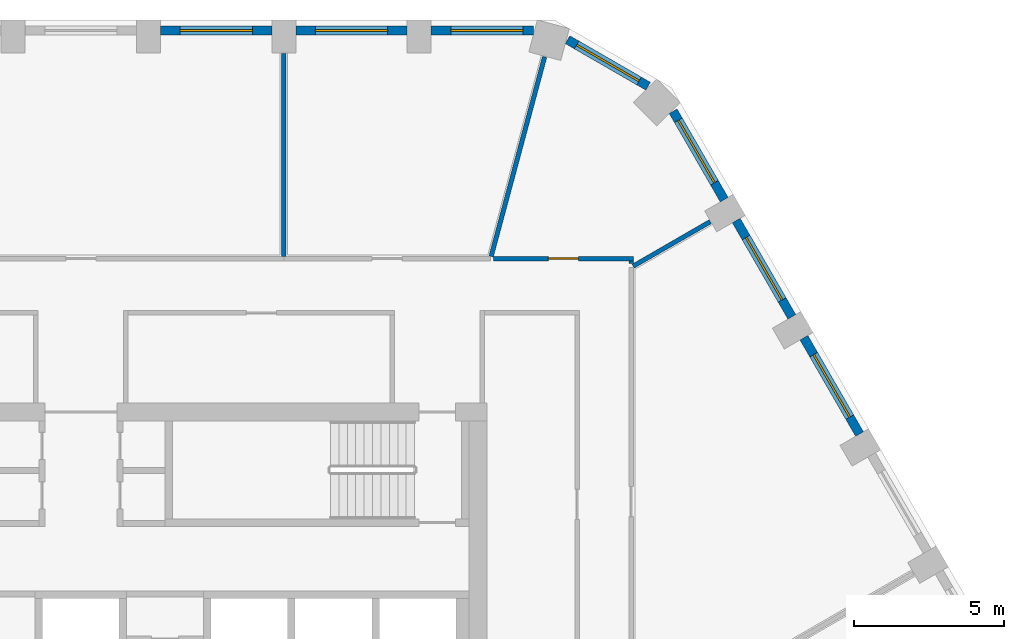
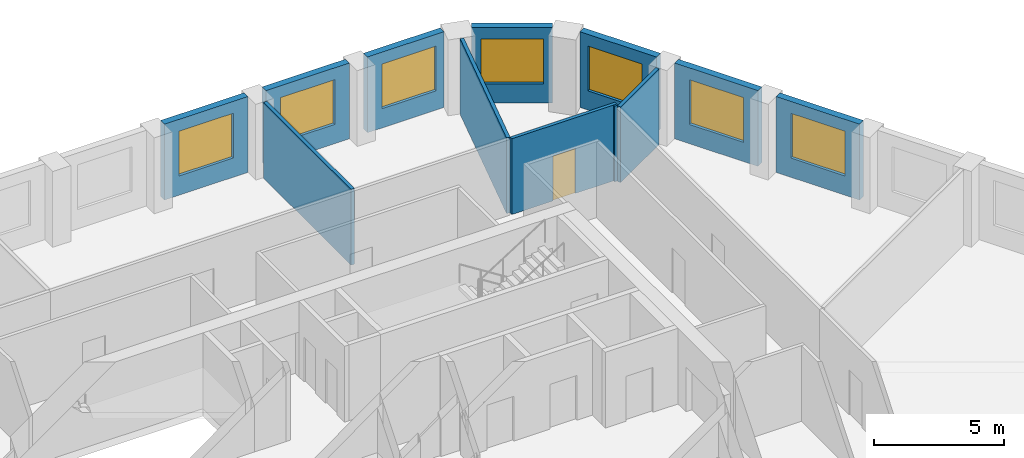
# One storey, part 7 of 13: 12 walls, 7 windows, 1 door, 8 openings.
"""IFC4 building model written with IfcOpenShell, lengths in metres."""

from ifc_helpers import new_model, si_unit, direction, frame, frame_2d, origin, place, context, subcontext, project, spatial, rectangle, extrude, material, layer, layer_set, type_object, element, fill, save


model = new_model("IFC4")

# Units and contexts
model_context = context("Model", 3, precision=1e-05, world=origin(), true_north=direction((0.0, 1.0)))
body_context = subcontext(model_context, "Body", "Model", "MODEL_VIEW")
ifc_project = project(units=[si_unit("LENGTHUNIT", "METRE"), si_unit("AREAUNIT", "SQUARE_METRE"), si_unit("VOLUMEUNIT", "CUBIC_METRE"), si_unit("PLANEANGLEUNIT", "RADIAN"), si_unit("MASSUNIT", "GRAM", prefix="KILO")], contexts=[model_context])

# Site, building, storey
site_placement = place(None, origin())
site = spatial("IfcSite", under=ifc_project, at=site_placement, CompositionType="ELEMENT")
building_placement = place(site_placement, origin())
building = spatial("IfcBuilding", under=site, at=building_placement, Name="Dhurran Vertical Campus", CompositionType="ELEMENT")
storey_placement = place(building_placement, frame((0.0, 0.0, 191.699951171875)))
storey = spatial("IfcBuildingStorey", under=building, at=storey_placement, Name="L47", CompositionType="ELEMENT", Elevation=191.699951171875)

# Wall, opening, window
ifc_material_1 = material(Name="Precast concrete C50/60", Category="concrete")
ifc_layer_1 = layer(ifc_material_1, 0.300048828125)
ifc_layer_set_1 = layer_set([ifc_layer_1], Name="Precast concrete C50/60")
wall_type_1 = type_object("IfcWallType", Name="Precast spandrel wall 300", PredefinedType="SOLIDWALL", material=ifc_layer_set_1)
wall_1_placement = place(storey_placement, frame((25.893798828125, 10.216064453125, 0.0), z_axis=(0.0, 0.0, 1.0), x_axis=(-0.500029062817, 0.866008623709, 0.0)))
wall_1 = element("IfcWall", 1, at=wall_1_placement, inside=storey, type_object=wall_type_1, Name="EW1 L47.16", PredefinedType="SOLIDWALL", context=body_context, shape_type="SweptSolid", body=[
    extrude(rectangle(XDim=3.698974609375, YDim=0.300048828125, at=frame_2d((1.849609375, 0.0))), origin(), (0.0, 0.0, 1.0), 3.550048828125),
])
opening_1_placement = place(wall_1_placement, frame((0.6494140625, 0.0, 0.89990234375)))
opening_1 = element("IfcOpeningElement", 2, at=opening_1_placement, cuts=wall_1, Name="Opening WT1", PredefinedType="OPENING", context=body_context, shape_type="SweptSolid", body=[
    extrude(rectangle(XDim=2.39990234375, YDim=2.10009765625, at=frame_2d((1.199951171875, 1.050048828125))), frame((0.0, 0.159912109375, 0.0), z_axis=(0.0, -1.0, 0.0), x_axis=(1.0, 0.0, 0.0)), (0.0, 0.0, 1.0), 0.320068359375),
])
ifc_material_2 = material(Name="Aluminium frame with solar-control glass", Category="aluminium")
window_type = type_object("IfcWindowType", Name="Punched window 2400 x 2100", PartitioningType="SINGLE_PANEL", PredefinedType="WINDOW", material=ifc_material_2)
window_1_placement = place(opening_1_placement, origin())
window_1 = element("IfcWindow", 3, at=window_1_placement, inside=storey, type_object=window_type, Name="WT1 L47.16", OverallHeight=2.10009765625, OverallWidth=2.39990234375, PartitioningType="SINGLE_PANEL", PredefinedType="WINDOW", context=body_context, shape_type="SweptSolid", body=[
    extrude(rectangle(XDim=2.39990234375, YDim=2.10009765625, at=frame_2d((1.199951171875, 1.050048828125))), frame((0.0, 0.030029296875, 0.0), z_axis=(0.0, -1.0, 0.0), x_axis=(1.0, 0.0, 0.0)), (0.0, 0.0, 1.0), 0.06005859375),
])
fill(opening_1, window_1)

wall_2_placement = place(storey_placement, frame((23.643798828125, 14.11328125, 0.0), z_axis=(0.0, 0.0, 1.0), x_axis=(-0.500029062817, 0.866008623709, 0.0)))
wall_2 = element("IfcWall", 4, at=wall_2_placement, inside=storey, type_object=wall_type_1, Name="EW1 L47.17", PredefinedType="SOLIDWALL", context=body_context, shape_type="SweptSolid", body=[
    extrude(rectangle(XDim=3.698974609375, YDim=0.300048828125, at=frame_2d((1.849609375, 0.0))), origin(), (0.0, 0.0, 1.0), 3.550048828125),
])
opening_2_placement = place(wall_2_placement, frame((0.6494140625, 0.0, 0.89990234375)))
opening_2 = element("IfcOpeningElement", 5, at=opening_2_placement, cuts=wall_2, Name="Opening WT1", PredefinedType="OPENING", context=body_context, shape_type="SweptSolid", body=[
    extrude(rectangle(XDim=2.39990234375, YDim=2.10009765625, at=frame_2d((1.199951171875, 1.050048828125))), frame((0.0, 0.159912109375, 0.0), z_axis=(0.0, -1.0, 0.0), x_axis=(1.0, 0.0, 0.0)), (0.0, 0.0, 1.0), 0.320068359375),
])
window_2_placement = place(opening_2_placement, origin())
window_2 = element("IfcWindow", 6, at=window_2_placement, inside=storey, type_object=window_type, Name="WT1 L47.17", OverallHeight=2.10009765625, OverallWidth=2.39990234375, PartitioningType="SINGLE_PANEL", PredefinedType="WINDOW", context=body_context, shape_type="SweptSolid", body=[
    extrude(rectangle(XDim=2.39990234375, YDim=2.10009765625, at=frame_2d((1.199951171875, 1.050048828125))), frame((0.0, 0.030029296875, 0.0), z_axis=(0.0, -1.0, 0.0), x_axis=(1.0, 0.0, 0.0)), (0.0, 0.0, 1.0), 0.06005859375),
])
fill(opening_2, window_2)

wall_3_placement = place(storey_placement, frame((21.393798828125, 18.01025390625, 0.0), z_axis=(0.0, 0.0, 1.0), x_axis=(-0.500012868213, 0.866017974191, 0.0)))
wall_3 = element("IfcWall", 7, at=wall_3_placement, inside=storey, type_object=wall_type_1, Name="EW1 L47.18", PredefinedType="SOLIDWALL", context=body_context, shape_type="SweptSolid", body=[
    extrude(rectangle(XDim=3.39599609375, YDim=0.300048828125, at=frame_2d((1.697998046875, 0.0))), origin(), (0.0, 0.0, 1.0), 3.550048828125),
])
opening_3_placement = place(wall_3_placement, frame((0.6494140625, 0.0, 0.89990234375)))
opening_3 = element("IfcOpeningElement", 8, at=opening_3_placement, cuts=wall_3, Name="Opening WT1", PredefinedType="OPENING", context=body_context, shape_type="SweptSolid", body=[
    extrude(rectangle(XDim=2.39990234375, YDim=2.10009765625, at=frame_2d((1.199951171875, 1.050048828125))), frame((0.0, 0.159912109375, 0.0), z_axis=(0.0, -1.0, 0.0), x_axis=(1.0, 0.0, 0.0)), (0.0, 0.0, 1.0), 0.320068359375),
])
window_3_placement = place(opening_3_placement, origin())
window_3 = element("IfcWindow", 9, at=window_3_placement, inside=storey, type_object=window_type, Name="WT1 L47.18", OverallHeight=2.10009765625, OverallWidth=2.39990234375, PartitioningType="SINGLE_PANEL", PredefinedType="WINDOW", context=body_context, shape_type="SweptSolid", body=[
    extrude(rectangle(XDim=2.39990234375, YDim=2.10009765625, at=frame_2d((1.199951171875, 1.050048828125))), frame((0.0, 0.030029296875, 0.0), z_axis=(0.0, -1.0, 0.0), x_axis=(1.0, 0.0, 0.0)), (0.0, 0.0, 1.0), 0.06005859375),
])
fill(opening_3, window_3)

wall_4_placement = place(storey_placement, frame((18.86279296875, 21.7841796875, 0.0), z_axis=(0.0, 0.0, 1.0), x_axis=(-0.865994975416, 0.500052699777, 0.0)))
wall_4 = element("IfcWall", 10, at=wall_4_placement, inside=storey, type_object=wall_type_1, Name="EW1 L47.19", PredefinedType="SOLIDWALL", context=body_context, shape_type="SweptSolid", body=[
    extrude(rectangle(XDim=3.093017578125, YDim=0.300048828125, at=frame_2d((1.54638671875, 0.0))), origin(), (0.0, 0.0, 1.0), 3.550048828125),
])
opening_4_placement = place(wall_4_placement, frame((0.34619140625, 0.0, 0.89990234375)))
opening_4 = element("IfcOpeningElement", 11, at=opening_4_placement, cuts=wall_4, Name="Opening WT1", PredefinedType="OPENING", context=body_context, shape_type="SweptSolid", body=[
    extrude(rectangle(XDim=2.39990234375, YDim=2.10009765625, at=frame_2d((1.199951171875, 1.050048828125))), frame((0.0, 0.159912109375, 0.0), z_axis=(0.0, -1.0, 0.0), x_axis=(1.0, 0.0, 0.0)), (0.0, 0.0, 1.0), 0.320068359375),
])
window_4_placement = place(opening_4_placement, origin())
window_4 = element("IfcWindow", 12, at=window_4_placement, inside=storey, type_object=window_type, Name="WT1 L47.19", OverallHeight=2.10009765625, OverallWidth=2.39990234375, PartitioningType="SINGLE_PANEL", PredefinedType="WINDOW", context=body_context, shape_type="SweptSolid", body=[
    extrude(rectangle(XDim=2.39990234375, YDim=2.10009765625, at=frame_2d((1.199951171875, 1.050048828125))), frame((0.0, 0.030029296875, 0.0), z_axis=(0.0, -1.0, 0.0), x_axis=(1.0, 0.0, 0.0)), (0.0, 0.0, 1.0), 0.06005859375),
])
fill(opening_4, window_4)

wall_5_placement = place(storey_placement, frame((15.04638671875, 23.635498046875, 0.0), z_axis=(0.0, 0.0, 1.0), x_axis=(-1.0, 0.0, 0.0)))
wall_5 = element("IfcWall", 13, at=wall_5_placement, inside=storey, type_object=wall_type_1, Name="EW1 L47.20", PredefinedType="SOLIDWALL", context=body_context, shape_type="SweptSolid", body=[
    extrude(rectangle(XDim=3.39599609375, YDim=0.300048828125, at=frame_2d((1.697998046875, 0.0))), origin(), (0.0, 0.0, 1.0), 3.550048828125),
])
opening_5_placement = place(wall_5_placement, frame((0.34619140625, 0.0, 0.89990234375)))
opening_5 = element("IfcOpeningElement", 14, at=opening_5_placement, cuts=wall_5, Name="Opening WT1", PredefinedType="OPENING", context=body_context, shape_type="SweptSolid", body=[
    extrude(rectangle(XDim=2.39990234375, YDim=2.10009765625, at=frame_2d((1.199951171875, 1.050048828125))), frame((0.0, 0.159912109375, 0.0), z_axis=(0.0, -1.0, 0.0), x_axis=(1.0, 0.0, 0.0)), (0.0, 0.0, 1.0), 0.320068359375),
])
window_5_placement = place(opening_5_placement, origin())
window_5 = element("IfcWindow", 15, at=window_5_placement, inside=storey, type_object=window_type, Name="WT1 L47.20", OverallHeight=2.10009765625, OverallWidth=2.39990234375, PartitioningType="SINGLE_PANEL", PredefinedType="WINDOW", context=body_context, shape_type="SweptSolid", body=[
    extrude(rectangle(XDim=2.39990234375, YDim=2.10009765625, at=frame_2d((1.199951171875, 1.050048828125))), frame((0.0, 0.030029296875, 0.0), z_axis=(0.0, -1.0, 0.0), x_axis=(1.0, 0.0, 0.0)), (0.0, 0.0, 1.0), 0.06005859375),
])
fill(opening_5, window_5)

wall_6_placement = place(storey_placement, frame((10.849609375, 23.635498046875, 0.0), z_axis=(0.0, 0.0, 1.0), x_axis=(-1.0, 0.0, 0.0)))
wall_6 = element("IfcWall", 16, at=wall_6_placement, inside=storey, type_object=wall_type_1, Name="EW1 L47.21", PredefinedType="SOLIDWALL", context=body_context, shape_type="SweptSolid", body=[
    extrude(rectangle(XDim=3.69921875, YDim=0.300048828125, at=frame_2d((1.849609375, 0.0))), origin(), (0.0, 0.0, 1.0), 3.550048828125),
])
opening_6_placement = place(wall_6_placement, frame((0.6494140625, 0.0, 0.89990234375)))
opening_6 = element("IfcOpeningElement", 17, at=opening_6_placement, cuts=wall_6, Name="Opening WT1", PredefinedType="OPENING", context=body_context, shape_type="SweptSolid", body=[
    extrude(rectangle(XDim=2.39990234375, YDim=2.10009765625, at=frame_2d((1.199951171875, 1.050048828125))), frame((0.0, 0.159912109375, 0.0), z_axis=(0.0, -1.0, 0.0), x_axis=(1.0, 0.0, 0.0)), (0.0, 0.0, 1.0), 0.320068359375),
])
window_6_placement = place(opening_6_placement, origin())
window_6 = element("IfcWindow", 18, at=window_6_placement, inside=storey, type_object=window_type, Name="WT1 L47.21", OverallHeight=2.10009765625, OverallWidth=2.39990234375, PartitioningType="SINGLE_PANEL", PredefinedType="WINDOW", context=body_context, shape_type="SweptSolid", body=[
    extrude(rectangle(XDim=2.39990234375, YDim=2.10009765625, at=frame_2d((1.199951171875, 1.050048828125))), frame((0.0, 0.030029296875, 0.0), z_axis=(0.0, -1.0, 0.0), x_axis=(1.0, 0.0, 0.0)), (0.0, 0.0, 1.0), 0.06005859375),
])
fill(opening_6, window_6)

wall_7_placement = place(storey_placement, frame((6.349609375, 23.635498046875, 0.0), z_axis=(0.0, 0.0, 1.0), x_axis=(-1.0, 0.0, 0.0)))
wall_7 = element("IfcWall", 19, at=wall_7_placement, inside=storey, type_object=wall_type_1, Name="EW1 L47.22", PredefinedType="SOLIDWALL", context=body_context, shape_type="SweptSolid", body=[
    extrude(rectangle(XDim=3.69921875, YDim=0.300048828125, at=frame_2d((1.849609375, 0.0))), origin(), (0.0, 0.0, 1.0), 3.550048828125),
])
opening_7_placement = place(wall_7_placement, frame((0.6494140625, 0.0, 0.89990234375)))
opening_7 = element("IfcOpeningElement", 20, at=opening_7_placement, cuts=wall_7, Name="Opening WT1", PredefinedType="OPENING", context=body_context, shape_type="SweptSolid", body=[
    extrude(rectangle(XDim=2.39990234375, YDim=2.10009765625, at=frame_2d((1.199951171875, 1.050048828125))), frame((0.0, 0.159912109375, 0.0), z_axis=(0.0, -1.0, 0.0), x_axis=(1.0, 0.0, 0.0)), (0.0, 0.0, 1.0), 0.320068359375),
])
window_7_placement = place(opening_7_placement, origin())
window_7 = element("IfcWindow", 21, at=window_7_placement, inside=storey, type_object=window_type, Name="WT1 L47.22", OverallHeight=2.10009765625, OverallWidth=2.39990234375, PartitioningType="SINGLE_PANEL", PredefinedType="WINDOW", context=body_context, shape_type="SweptSolid", body=[
    extrude(rectangle(XDim=2.39990234375, YDim=2.10009765625, at=frame_2d((1.199951171875, 1.050048828125))), frame((0.0, 0.030029296875, 0.0), z_axis=(0.0, -1.0, 0.0), x_axis=(1.0, 0.0, 0.0)), (0.0, 0.0, 1.0), 0.06005859375),
])
fill(opening_7, window_7)

# Wall, opening, door
ifc_material_3 = material(Name="Gypsum board corridor wall on steel studs", Category="steel")
ifc_layer_2 = layer(ifc_material_3, 0.14990234375)
ifc_layer_set_2 = layer_set([ifc_layer_2], Name="Gypsum board corridor wall on steel studs")
wall_type_2 = type_object("IfcWallType", Name="fl-CW-150 corridor wall", PredefinedType="PARTITIONING", material=ifc_layer_set_2)
wall_8_placement = place(storey_placement, frame((18.375, 16.050048828125, 0.0), z_axis=(0.0, 0.0, 1.0), x_axis=(-1.0, 0.0, 0.0)))
wall_8 = element("IfcWall", 22, at=wall_8_placement, inside=storey, type_object=wall_type_2, Name="Partition 47-53", PredefinedType="PARTITIONING", context=body_context, shape_type="SweptSolid", body=[
    extrude(rectangle(XDim=4.656005859375, YDim=0.14990234375, at=frame_2d((2.328125, 0.0))), origin(), (0.0, 0.0, 1.0), 3.550048828125),
])
opening_8_placement = place(wall_8_placement, frame((1.827880859375, 0.0, 0.0)))
opening_8 = element("IfcOpeningElement", 23, at=opening_8_placement, cuts=wall_8, Name="Opening T13.20", PredefinedType="OPENING", context=body_context, shape_type="SweptSolid", body=[
    extrude(rectangle(XDim=1.0, YDim=2.10009765625, at=frame_2d((0.5, 1.050048828125))), frame((0.0, 0.0849609375, 0.0), z_axis=(0.0, -1.0, 0.0), x_axis=(1.0, 0.0, 0.0)), (0.0, 0.0, 1.0), 0.169921875),
])
ifc_material_4 = material(Name="Solid-core timber door set, fire-rated", Category="wood")
door_type = type_object("IfcDoorType", Name="fl-D-1000x2100", OperationType="SINGLE_SWING_LEFT", PredefinedType="DOOR", material=ifc_material_4)
door_placement = place(opening_8_placement, origin())
door = element("IfcDoor", 24, at=door_placement, inside=storey, type_object=door_type, Name="Door 47.20", OperationType="SINGLE_SWING_RIGHT", OverallHeight=2.10009765625, OverallWidth=1.0, PredefinedType="DOOR", context=body_context, shape_type="SweptSolid", body=[
    extrude(rectangle(XDim=1.0, YDim=2.10009765625, at=frame_2d((0.5, 1.050048828125))), frame((0.0, 0.02490234375, 0.0), z_axis=(0.0, -1.0, 0.0), x_axis=(1.0, 0.0, 0.0)), (0.0, 0.0, 1.0), 0.050048828125),
])
fill(opening_8, door)

# Walls
wall_9_placement = place(storey_placement, frame((18.300048828125, 15.89208984375, 0.0), z_axis=(0.0, 0.0, 1.0), x_axis=(0.0, 1.0, 0.0)))
element("IfcWall", 25, at=wall_9_placement, inside=storey, type_object=wall_type_2, Name="Partition 47-61", PredefinedType="PARTITIONING", context=body_context, shape_type="SweptSolid", body=[
    extrude(rectangle(XDim=0.0830078125, YDim=0.14990234375, at=frame_2d((0.04150390625, 0.0))), origin(), (0.0, 0.0, 1.0), 3.550048828125),
])
ifc_material_5 = material(Name="Gypsum board partition on steel studs", Category="steel")
ifc_layer_3 = layer(ifc_material_5, 0.14990234375)
ifc_layer_set_3 = layer_set([ifc_layer_3], Name="Gypsum board partition on steel studs")
wall_type_3 = type_object("IfcWallType", Name="fl-PW-150 fixed partition", PredefinedType="PARTITIONING", material=ifc_layer_set_3)
wall_10_placement = place(storey_placement, frame((6.75, 22.865478515625, 0.0), z_axis=(0.0, 0.0, 1.0), x_axis=(0.0, -1.0, 0.0)))
element("IfcWall", 26, at=wall_10_placement, inside=storey, type_object=wall_type_3, Name="Partition 47-40", PredefinedType="PARTITIONING", context=body_context, shape_type="SweptSolid", body=[
    extrude(rectangle(XDim=6.740478515625, YDim=0.14990234375, at=frame_2d((3.3701171875, 0.0))), origin(), (0.0, 0.0, 1.0), 3.550048828125),
])
wall_11_placement = place(storey_placement, frame((15.422119140625, 22.76123046875, 0.0), z_axis=(0.0, 0.0, 1.0), x_axis=(-0.258807697684, -0.965928866749, 0.0)))
element("IfcWall", 27, at=wall_11_placement, inside=storey, type_object=wall_type_3, Name="Partition 47-52", PredefinedType="PARTITIONING", context=body_context, shape_type="SweptSolid", body=[
    extrude(rectangle(XDim=6.873046875, YDim=0.14990234375, at=frame_2d((3.4365234375, 0.0))), origin(), (0.0, 0.0, 1.0), 3.550048828125),
])
wall_12_placement = place(storey_placement, frame((20.92724609375, 17.2783203125, 0.0), z_axis=(0.0, 0.0, 1.0), x_axis=(-0.866107263007, -0.499858188855, 0.0)))
element("IfcWall", 28, at=wall_12_placement, inside=storey, type_object=wall_type_3, Name="Partition 47-62", PredefinedType="PARTITIONING", context=body_context, shape_type="SweptSolid", body=[
    extrude(rectangle(XDim=2.958251953125, YDim=0.14990234375, at=frame_2d((1.47900390625, 0.0))), origin(), (0.0, 0.0, 1.0), 3.550048828125),
])

save(model, "model.ifc")
